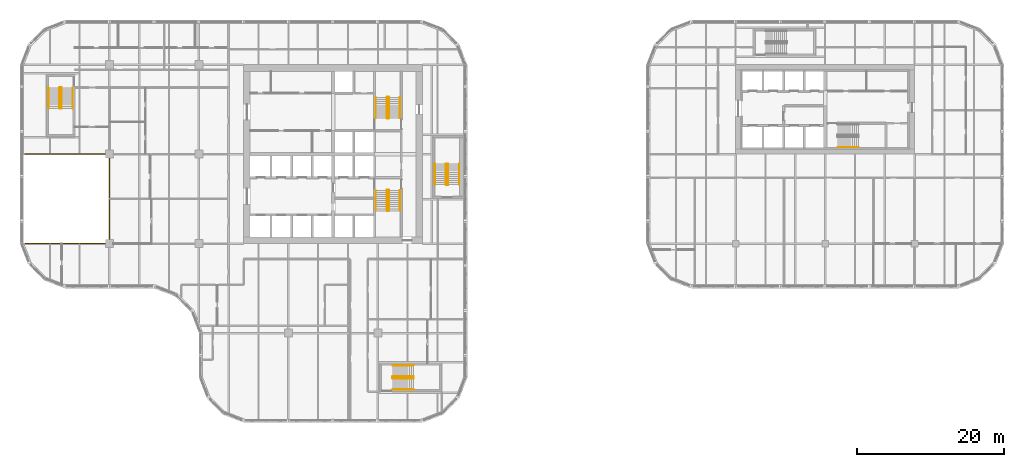
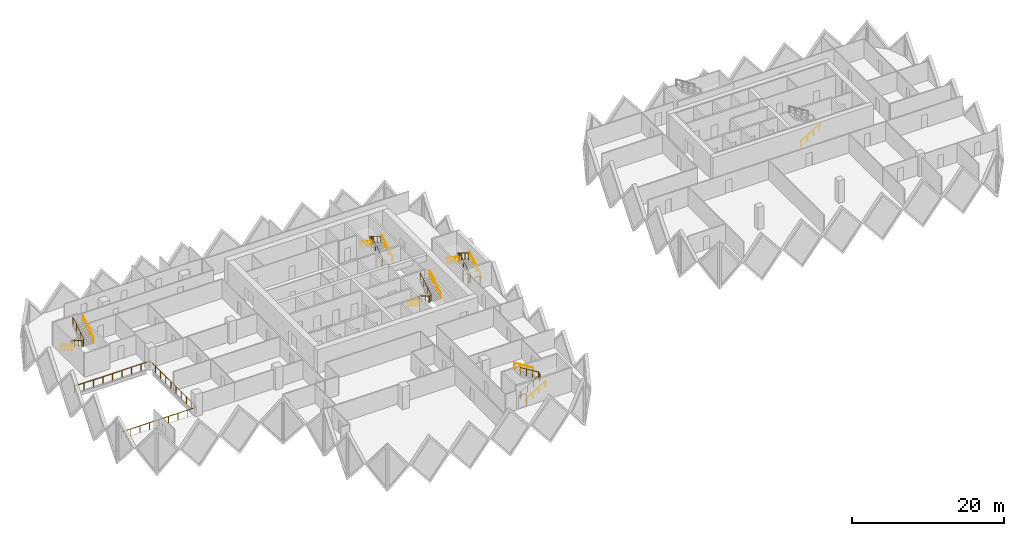
# One storey, part 17 of 18: 17 railings.
"""IFC4 building model written with IfcOpenShell, lengths in metres."""

import ifcopenshell
import ifcopenshell.guid

model = None  # the IFC model being written
_history = None  # IfcOwnerHistory: only IFC2X3 demands one
_inside = {}  # id of a spatial element -> (the spatial element, [elements in it])
_under = {}  # id of a project, library or spatial element -> (it, [spatial elements below it])
_declared = {}  # id of a project -> (the project, [libraries it declares])
_typed = {}  # id of a type object -> (the type object, [elements of that type])
_made_of = {}  # id of a material, layer set ... -> (it, [elements and type objects made of it])


def new_model(schema):
    """Start an empty IFC model of exactly this schema.

    Asked for "IFC4X3", IfcOpenShell would pick the latest addendum, in which some entities
    have other attributes; the version numbers below select the first issue.
    IFC2X3 requires an IfcOwnerHistory on every rooted entity: one is made here for all.
    """
    global model, _history
    if schema == "IFC4X3":
        model = ifcopenshell.file(schema_version=(4, 3, 0, 0))
    else:
        model = ifcopenshell.file(schema=schema)
    _inside.clear()
    _under.clear()
    _declared.clear()
    _typed.clear()
    _made_of.clear()
    _history = None
    if model.schema == "IFC2X3":
        org = make("IfcOrganization", Name="unknown")
        user = make(
            "IfcPersonAndOrganization",
            ThePerson=make("IfcPerson", FamilyName="unknown"),
            TheOrganization=org,
        )
        app = make(
            "IfcApplication",
            ApplicationDeveloper=org,
            Version="unknown",
            ApplicationFullName="unknown",
            ApplicationIdentifier="unknown",
        )
        _history = make(
            "IfcOwnerHistory",
            OwningUser=user,
            OwningApplication=app,
            ChangeAction="ADDED",
            CreationDate=0,
        )
    return model


def make(cls, **values):
    """One entity of the class cls with the attributes given. An attribute that is None is left unset."""
    return model.create_entity(
        cls, **{name: value for name, value in values.items() if value is not None}
    )


def rooted(cls, **values):
    """An entity with a GlobalId (a new one), such as an element, a storey or a relation."""
    return make(cls, GlobalId=ifcopenshell.guid.new(), OwnerHistory=_history, **values)


def si_unit(unit_type, name, prefix=None):
    """IfcSIUnit, for example si_unit("LENGTHUNIT", "METRE", prefix="MILLI")."""
    return make("IfcSIUnit", UnitType=unit_type, Prefix=prefix, Name=name)


def assignment(units):
    """IfcUnitAssignment: the units of a project."""
    return None if units is None else make("IfcUnitAssignment", Units=units)


def point(xyz):
    """IfcCartesianPoint."""
    return None if xyz is None else make("IfcCartesianPoint", Coordinates=xyz)


def direction(xyz):
    """IfcDirection."""
    return None if xyz is None else make("IfcDirection", DirectionRatios=xyz)


def frame(location, z_axis=None, x_axis=None):
    """IfcAxis2Placement3D, a coordinate frame: its origin and axes. An axis left out is left unset."""
    return make(
        "IfcAxis2Placement3D",
        Location=point(location),
        Axis=direction(z_axis),
        RefDirection=direction(x_axis),
    )


def frame_2d(location, x_axis=None):
    """IfcAxis2Placement2D, a coordinate frame in the plane: its origin and x axis."""
    return make(
        "IfcAxis2Placement2D", Location=point(location), RefDirection=direction(x_axis)
    )


def origin():
    """The frame at (0, 0, 0) with its axes left unset."""
    return frame((0.0, 0.0, 0.0))


def origin_2d():
    """The frame at (0, 0) in the plane with its x axis left unset."""
    return frame_2d((0.0, 0.0))


def place(relative_to, where):
    """IfcLocalPlacement: puts the frame where relative to a parent placement (None: the world)."""
    return make(
        "IfcLocalPlacement", PlacementRelTo=relative_to, RelativePlacement=where
    )


def context(
    kind, dimensions, precision=None, world=None, true_north=None, identifier=None
):
    """IfcGeometricRepresentationContext, for example the 3D "Model" context."""
    return make(
        "IfcGeometricRepresentationContext",
        ContextIdentifier=identifier,
        ContextType=kind,
        CoordinateSpaceDimension=dimensions,
        Precision=precision,
        WorldCoordinateSystem=world,
        TrueNorth=true_north,
    )


def subcontext(parent, identifier, kind, view, scale=None):
    """IfcGeometricRepresentationSubContext, for example "Body" below "Model"."""
    return make(
        "IfcGeometricRepresentationSubContext",
        ContextIdentifier=identifier,
        ContextType=kind,
        ParentContext=parent,
        TargetScale=scale,
        TargetView=view,
    )


def project(units=None, contexts=None):
    """IfcProject with its units and contexts."""
    return rooted(
        "IfcProject",
        Name="project",
        RepresentationContexts=contexts,
        UnitsInContext=assignment(units),
    )


def spatial(cls, under=None, at=None, **own):
    """A site, building, storey or space (cls), placed at a placement, below another one or the project."""
    s = rooted(cls, ObjectPlacement=at, **own)
    if under is not None:
        _under.setdefault(under.id(), (under, []))[1].append(s)
    return s


def profile(cls, at=None, kind="AREA", **sizes):
    """A parametric profile (cls). Its sizes go by their IFC names, for example OverallWidth=200.0."""
    return make(cls, ProfileType=kind, Position=at, **sizes)


def circle(**sizes):
    """IfcCircleProfileDef."""
    return profile("IfcCircleProfileDef", **sizes)


def extrude(swept, where, along, depth):
    """IfcExtrudedAreaSolid: the profile swept, set in the frame where, extruded along a direction by depth."""
    return make(
        "IfcExtrudedAreaSolid",
        SweptArea=swept,
        Position=where,
        ExtrudedDirection=direction(along),
        Depth=depth,
    )


def shape(context_of_items, identifier, shape_type, items):
    """IfcShapeRepresentation: the items that make up one representation, for example the "Body"."""
    return make(
        "IfcShapeRepresentation",
        ContextOfItems=context_of_items,
        RepresentationIdentifier=identifier,
        RepresentationType=shape_type,
        Items=items,
    )


def material(Name=None, Category=None):
    """IfcMaterial."""
    return make("IfcMaterial", Name=Name, Category=Category)


def made_of(thing, what):
    """Note that an element or type object is made of a material, layer set ...; save() writes the relation."""
    if what is not None:
        _made_of.setdefault(what.id(), (what, []))[1].append(thing)
    return thing


def type_object(cls, material=None, **own):
    """A type object (cls), such as IfcWallType, which elements share."""
    return made_of(rooted(cls, **own), material)


def element(
    cls,
    number,
    at=None,
    inside=None,
    cuts=None,
    type_object=None,
    material=None,
    context=None,
    identifier="Body",
    shape_type=None,
    held_by="IfcProductDefinitionShape",
    body=None,
    shapes=None,
    **own,
):
    """One element of the class cls, such as IfcWall. Its Tag is "e" and its number.

    at: its placement. inside: the storey or other place that contains it. cuts: it is an
    opening in that element (IfcRelVoidsElement). A single representation is given by context,
    identifier, shape_type and body (its items); several are given by shapes. held_by: the class
    of the entity that holds the representations. save() writes the other relations.
    """
    e = rooted(cls, Tag="e%d" % number, ObjectPlacement=at, **own)
    if body is not None:
        shapes = [shape(context, identifier, shape_type, body)]
    if shapes is not None:
        e.Representation = make(held_by, Representations=shapes)
    if inside is not None:
        _inside.setdefault(inside.id(), (inside, []))[1].append(e)
    if cuts is not None:
        rooted(
            "IfcRelVoidsElement", RelatingBuildingElement=cuts, RelatedOpeningElement=e
        )
    if type_object is not None:
        _typed.setdefault(type_object.id(), (type_object, []))[1].append(e)
    return made_of(e, material)


def aggregate(whole, parts):
    """IfcRelAggregates: a whole, such as a stair, and the parts it consists of."""
    return rooted("IfcRelAggregates", RelatingObject=whole, RelatedObjects=parts)


def save(model, path):
    """Write the relations noted so far, then the file.

    IfcRelAggregates (storeys below a building ...), IfcRelContainedInSpatialStructure (elements
    in a storey), IfcRelDefinesByType, IfcRelAssociatesMaterial and IfcRelDeclares: one each for
    every whole, place, type object, material and project.
    """
    for whole, parts in _under.values():
        aggregate(whole, parts)
    for where, things in _inside.values():
        rooted(
            "IfcRelContainedInSpatialStructure",
            RelatedElements=things,
            RelatingStructure=where,
        )
    for kind, things in _typed.values():
        rooted("IfcRelDefinesByType", RelatedObjects=things, RelatingType=kind)
    for what, things in _made_of.values():
        rooted("IfcRelAssociatesMaterial", RelatedObjects=things, RelatingMaterial=what)
    for by, libraries in _declared.values():
        rooted("IfcRelDeclares", RelatingContext=by, RelatedDefinitions=libraries)
    model.write(path)


model = new_model("IFC4")

# Units and contexts
model_context = context("Model", 3, precision=1e-05, world=origin(), true_north=direction((0.0, 1.0)))
body_context = subcontext(model_context, "Body", "Model", "MODEL_VIEW")
ifc_project = project(units=[si_unit("LENGTHUNIT", "METRE"), si_unit("AREAUNIT", "SQUARE_METRE"), si_unit("VOLUMEUNIT", "CUBIC_METRE"), si_unit("PLANEANGLEUNIT", "RADIAN"), si_unit("MASSUNIT", "GRAM", prefix="KILO")], contexts=[model_context])

# Site, building, storey
site_placement = place(None, origin())
site = spatial("IfcSite", under=ifc_project, at=site_placement, CompositionType="ELEMENT")
building_placement = place(site_placement, origin())
building = spatial("IfcBuilding", under=site, at=building_placement, Name="Tessera Gate Towers", CompositionType="ELEMENT")
storey_placement = place(building_placement, frame((0.0, 0.0, 44.800048828125)))
storey = spatial("IfcBuildingStorey", under=building, at=storey_placement, Name="L10", CompositionType="ELEMENT", Elevation=44.800048828125)

# Railings
ifc_material_1 = material(Name="Toughened glass with stainless steel handrail", Category="steel")
railing_type_1 = type_object("IfcRailingType", Name="GUARD 1100 GLASS BALUSTRADE", PredefinedType="GUARDRAIL", material=ifc_material_1)
railing_1_placement = place(storey_placement, frame((0.750244140625, 24.39990234375, 0.0)))
element("IfcRailing", 1, at=railing_1_placement, inside=storey, type_object=railing_type_1, Name="Guard", PredefinedType="GUARDRAIL", context=body_context, shape_type="SweptSolid", body=[
    extrude(circle(Radius=0.02490234375, at=origin_2d()), frame((0.0, 0.0, 1.0751953125), z_axis=(1.0, 0.0, 0.0), x_axis=(0.0, 1.0, 0.0)), (0.0, 0.0, 1.0), 11.44970703125),
    extrude(circle(Radius=0.02490234375, at=origin_2d()), frame((11.44970703125, 0.0, 1.0751953125), z_axis=(0.0, 1.0, 0.0), x_axis=(-1.0, 0.0, 0.0)), (0.0, 0.0, 1.0), 12.2001953125),
    extrude(circle(Radius=0.02490234375, at=origin_2d()), frame((11.44970703125, 12.2001953125, 1.0751953125), z_axis=(-1.0, 0.0, 0.0), x_axis=(0.0, -1.0, 0.0)), (0.0, 0.0, 1.0), 11.5),
    extrude(circle(Radius=0.02490234375, at=origin_2d()), origin(), (0.0, 0.0, 1.0), 1.050048828125),
    extrude(circle(Radius=0.02490234375, at=origin_2d()), frame((1.43115234375, 0.0, 0.0)), (0.0, 0.0, 1.0), 1.050048828125),
    extrude(circle(Radius=0.02490234375, at=origin_2d()), frame((2.8623046875, 0.0, 0.0)), (0.0, 0.0, 1.0), 1.050048828125),
    extrude(circle(Radius=0.02490234375, at=origin_2d()), frame((4.293701171875, 0.0, 0.0)), (0.0, 0.0, 1.0), 1.050048828125),
    extrude(circle(Radius=0.02490234375, at=origin_2d()), frame((5.724853515625, 0.0, 0.0)), (0.0, 0.0, 1.0), 1.050048828125),
    extrude(circle(Radius=0.02490234375, at=origin_2d()), frame((7.156005859375, 0.0, 0.0)), (0.0, 0.0, 1.0), 1.050048828125),
    extrude(circle(Radius=0.02490234375, at=origin_2d()), frame((8.58740234375, 0.0, 0.0)), (0.0, 0.0, 1.0), 1.050048828125),
    extrude(circle(Radius=0.02490234375, at=origin_2d()), frame((10.0185546875, 0.0, 0.0)), (0.0, 0.0, 1.0), 1.050048828125),
    extrude(circle(Radius=0.02490234375, at=origin_2d()), frame((11.44970703125, 0.0, 0.0)), (0.0, 0.0, 1.0), 1.050048828125),
    extrude(circle(Radius=0.02490234375, at=origin_2d()), frame((11.44970703125, 1.35546875, 0.0)), (0.0, 0.0, 1.0), 1.050048828125),
    extrude(circle(Radius=0.02490234375, at=origin_2d()), frame((11.44970703125, 2.711181640625, 0.0)), (0.0, 0.0, 1.0), 1.050048828125),
    extrude(circle(Radius=0.02490234375, at=origin_2d()), frame((11.44970703125, 4.066650390625, 0.0)), (0.0, 0.0, 1.0), 1.050048828125),
    extrude(circle(Radius=0.02490234375, at=origin_2d()), frame((11.44970703125, 5.42236328125, 0.0)), (0.0, 0.0, 1.0), 1.050048828125),
    extrude(circle(Radius=0.02490234375, at=origin_2d()), frame((11.44970703125, 6.77783203125, 0.0)), (0.0, 0.0, 1.0), 1.050048828125),
    extrude(circle(Radius=0.02490234375, at=origin_2d()), frame((11.44970703125, 8.133544921875, 0.0)), (0.0, 0.0, 1.0), 1.050048828125),
    extrude(circle(Radius=0.02490234375, at=origin_2d()), frame((11.44970703125, 9.489013671875, 0.0)), (0.0, 0.0, 1.0), 1.050048828125),
    extrude(circle(Radius=0.02490234375, at=origin_2d()), frame((11.44970703125, 10.8447265625, 0.0)), (0.0, 0.0, 1.0), 1.050048828125),
    extrude(circle(Radius=0.02490234375, at=origin_2d()), frame((11.44970703125, 12.2001953125, 0.0)), (0.0, 0.0, 1.0), 1.050048828125),
    extrude(circle(Radius=0.02490234375, at=origin_2d()), frame((10.01220703125, 12.2001953125, 0.0)), (0.0, 0.0, 1.0), 1.050048828125),
    extrude(circle(Radius=0.02490234375, at=origin_2d()), frame((8.57470703125, 12.2001953125, 0.0)), (0.0, 0.0, 1.0), 1.050048828125),
    extrude(circle(Radius=0.02490234375, at=origin_2d()), frame((7.13720703125, 12.2001953125, 0.0)), (0.0, 0.0, 1.0), 1.050048828125),
    extrude(circle(Radius=0.02490234375, at=origin_2d()), frame((5.69970703125, 12.2001953125, 0.0)), (0.0, 0.0, 1.0), 1.050048828125),
    extrude(circle(Radius=0.02490234375, at=origin_2d()), frame((4.26220703125, 12.2001953125, 0.0)), (0.0, 0.0, 1.0), 1.050048828125),
    extrude(circle(Radius=0.02490234375, at=origin_2d()), frame((2.82470703125, 12.2001953125, 0.0)), (0.0, 0.0, 1.0), 1.050048828125),
    extrude(circle(Radius=0.02490234375, at=origin_2d()), frame((1.38720703125, 12.2001953125, 0.0)), (0.0, 0.0, 1.0), 1.050048828125),
    extrude(circle(Radius=0.02490234375, at=origin_2d()), frame((-0.05029296875, 12.2001953125, 0.0)), (0.0, 0.0, 1.0), 1.050048828125),
])
ifc_material_2 = material(Name="Steel 350W", Category="steel")
railing_type_2 = type_object("IfcRailingType", Name="STAIR GUARD 1100", PredefinedType="GUARDRAIL", material=ifc_material_2)
railing_2_placement = place(storey_placement, frame((50.27490234375, 31.72509765625, 0.0)))
element("IfcRailing", 2, at=railing_2_placement, inside=storey, type_object=railing_type_2, Name="L10 ST1 stair guard 1", PredefinedType="GUARDRAIL", context=body_context, shape_type="SweptSolid", body=[
    extrude(circle(Radius=0.02392578125, at=origin_2d()), frame((0.0, 0.0, 1.076171875), z_axis=(-1.0, 0.0, 0.0), x_axis=(0.0, -1.0, 0.0)), (0.0, 0.0, 1.0), 0.199951171875),
    extrude(circle(Radius=0.02392578125, at=origin_2d()), frame((-0.199951171875, 0.0, 1.076171875), z_axis=(-0.268277960024, -0.268277960024, 0.925231793839), x_axis=(0.707106781187, -0.707106781187, 0.0)), (0.0, 0.0, 1.0), 0.1865234375),
    extrude(circle(Radius=0.02392578125, at=origin_2d()), frame((-0.25, -0.050048828125, 1.24853515625), z_axis=(0.0, -0.851089632645, 0.525020415988), x_axis=(1.0, 0.0, 0.0)), (0.0, 0.0, 1.0), 3.2900390625),
    extrude(circle(Radius=0.02392578125, at=origin_2d()), frame((-0.25, -2.85009765625, 2.97607421875), z_axis=(0.707106781187, -0.707106781187, 0.0), x_axis=(0.707106781187, 0.707106781187, 0.0)), (0.0, 0.0, 1.0), 0.07080078125),
    extrude(circle(Radius=0.02392578125, at=origin_2d()), frame((-0.199951171875, -2.900146484375, 2.97607421875), z_axis=(1.0, 0.0, 0.0), x_axis=(0.0, 1.0, 0.0)), (0.0, 0.0, 1.0), 0.199951171875),
    extrude(circle(Radius=0.02392578125, at=origin_2d()), frame((0.0, -2.900146484375, 2.97607421875), z_axis=(0.267953482034, 0.267953482034, 0.925419830635), x_axis=(-0.707106781187, 0.707106781187, 0.0)), (0.0, 0.0, 1.0), 0.186767578125),
    extrude(circle(Radius=0.02392578125, at=origin_2d()), frame((0.050048828125, -2.85009765625, 3.14892578125), z_axis=(0.0, 0.851089632645, 0.525020415988), x_axis=(-1.0, 0.0, 0.0)), (0.0, 0.0, 1.0), 3.2900390625),
    extrude(circle(Radius=0.02099609375, at=origin_2d()), origin(), (0.0, 0.0, 1.0), 1.052001953125),
    extrude(circle(Radius=0.02099609375, at=origin_2d()), frame((-0.199951171875, 0.0, 0.0)), (0.0, 0.0, 1.0), 1.052001953125),
    extrude(circle(Radius=0.02099609375, at=origin_2d()), frame((-0.25, -0.050048828125, 0.172607421875)), (0.0, 0.0, 1.0), 1.052001953125),
    extrude(circle(Radius=0.02099609375, at=origin_2d()), frame((-0.25, -0.9833984375, 0.748291015625)), (0.0, 0.0, 1.0), 1.052001953125),
    extrude(circle(Radius=0.02099609375, at=origin_2d()), frame((-0.25, -1.916748046875, 1.32421875)), (0.0, 0.0, 1.0), 1.052001953125),
    extrude(circle(Radius=0.02099609375, at=origin_2d()), frame((-0.25, -2.85009765625, 1.89990234375)), (0.0, 0.0, 1.0), 1.052001953125),
    extrude(circle(Radius=0.02099609375, at=origin_2d()), frame((-0.199951171875, -2.900146484375, 1.89990234375)), (0.0, 0.0, 1.0), 1.052001953125),
    extrude(circle(Radius=0.02099609375, at=origin_2d()), frame((0.0, -2.900146484375, 1.89990234375)), (0.0, 0.0, 1.0), 1.052001953125),
    extrude(circle(Radius=0.02099609375, at=origin_2d()), frame((0.050048828125, -2.85009765625, 2.07275390625)), (0.0, 0.0, 1.0), 1.052001953125),
    extrude(circle(Radius=0.02099609375, at=origin_2d()), frame((0.050048828125, -1.916748046875, 2.6484375)), (0.0, 0.0, 1.0), 1.052001953125),
    extrude(circle(Radius=0.02099609375, at=origin_2d()), frame((0.050048828125, -0.9833984375, 3.224365234375)), (0.0, 0.0, 1.0), 1.052001953125),
    extrude(circle(Radius=0.02099609375, at=origin_2d()), frame((0.050048828125, -0.050048828125, 3.800048828125)), (0.0, 0.0, 1.0), 1.052001953125),
])
railing_3_placement = place(storey_placement, frame((50.074951171875, 41.47509765625, 0.0)))
element("IfcRailing", 3, at=railing_3_placement, inside=storey, type_object=railing_type_2, Name="L10 ST2 stair guard 1", PredefinedType="GUARDRAIL", context=body_context, shape_type="SweptSolid", body=[
    extrude(circle(Radius=0.02392578125, at=origin_2d()), frame((0.0, 0.0, 1.076171875), z_axis=(1.0, 0.0, 0.0), x_axis=(0.0, 1.0, 0.0)), (0.0, 0.0, 1.0), 0.199951171875),
    extrude(circle(Radius=0.02392578125, at=origin_2d()), frame((0.199951171875, 0.0, 1.076171875), z_axis=(0.268371968888, 0.267062837333, 0.925556009775), x_axis=(-0.705375805398, 0.708833529934, 0.0)), (0.0, 0.0, 1.0), 0.1865234375),
    extrude(circle(Radius=0.02392578125, at=origin_2d()), frame((0.25, 0.0498046875, 1.24853515625), z_axis=(0.0, 0.851089632645, 0.525020415988), x_axis=(-1.0, 0.0, 0.0)), (0.0, 0.0, 1.0), 3.2900390625),
    extrude(circle(Radius=0.02392578125, at=origin_2d()), frame((0.25, 2.849853515625, 2.97607421875), z_axis=(-0.707106781187, 0.707106781187, 0.0), x_axis=(-0.707106781187, -0.707106781187, 0.0)), (0.0, 0.0, 1.0), 0.07080078125),
    extrude(circle(Radius=0.02392578125, at=origin_2d()), frame((0.199951171875, 2.89990234375, 2.97607421875), z_axis=(-1.0, 0.0, 0.0), x_axis=(0.0, -1.0, 0.0)), (0.0, 0.0, 1.0), 0.199951171875),
    extrude(circle(Radius=0.02392578125, at=origin_2d()), frame((0.0, 2.89990234375, 2.97607421875), z_axis=(-0.267953482034, -0.267953482034, 0.925419830635), x_axis=(0.707106781187, -0.707106781187, 0.0)), (0.0, 0.0, 1.0), 0.186767578125),
    extrude(circle(Radius=0.02392578125, at=origin_2d()), frame((-0.050048828125, 2.849853515625, 3.14892578125), z_axis=(0.0, -0.851089632645, 0.525020415988), x_axis=(1.0, 0.0, 0.0)), (0.0, 0.0, 1.0), 3.2900390625),
    extrude(circle(Radius=0.02099609375, at=origin_2d()), origin(), (0.0, 0.0, 1.0), 1.052001953125),
    extrude(circle(Radius=0.02099609375, at=origin_2d()), frame((0.199951171875, 0.0, 0.0)), (0.0, 0.0, 1.0), 1.052001953125),
    extrude(circle(Radius=0.02099609375, at=origin_2d()), frame((0.25, 0.0498046875, 0.172607421875)), (0.0, 0.0, 1.0), 1.052001953125),
    extrude(circle(Radius=0.02099609375, at=origin_2d()), frame((0.25, 0.983154296875, 0.748291015625)), (0.0, 0.0, 1.0), 1.052001953125),
    extrude(circle(Radius=0.02099609375, at=origin_2d()), frame((0.25, 1.91650390625, 1.32421875)), (0.0, 0.0, 1.0), 1.052001953125),
    extrude(circle(Radius=0.02099609375, at=origin_2d()), frame((0.25, 2.849853515625, 1.89990234375)), (0.0, 0.0, 1.0), 1.052001953125),
    extrude(circle(Radius=0.02099609375, at=origin_2d()), frame((0.199951171875, 2.89990234375, 1.89990234375)), (0.0, 0.0, 1.0), 1.052001953125),
    extrude(circle(Radius=0.02099609375, at=origin_2d()), frame((0.0, 2.89990234375, 1.89990234375)), (0.0, 0.0, 1.0), 1.052001953125),
    extrude(circle(Radius=0.02099609375, at=origin_2d()), frame((-0.050048828125, 2.849853515625, 2.07275390625)), (0.0, 0.0, 1.0), 1.052001953125),
    extrude(circle(Radius=0.02099609375, at=origin_2d()), frame((-0.050048828125, 1.91650390625, 2.6484375)), (0.0, 0.0, 1.0), 1.052001953125),
    extrude(circle(Radius=0.02099609375, at=origin_2d()), frame((-0.050048828125, 0.983154296875, 3.224365234375)), (0.0, 0.0, 1.0), 1.052001953125),
    extrude(circle(Radius=0.02099609375, at=origin_2d()), frame((-0.050048828125, 0.0498046875, 3.800048828125)), (0.0, 0.0, 1.0), 1.052001953125),
])
railing_4_placement = place(storey_placement, frame((5.64990234375, 45.699951171875, 0.0)))
element("IfcRailing", 4, at=railing_4_placement, inside=storey, type_object=railing_type_2, Name="L10 ST3 stair guard 1", PredefinedType="GUARDRAIL", context=body_context, shape_type="SweptSolid", body=[
    extrude(circle(Radius=0.02392578125, at=origin_2d()), frame((0.0, 0.0, 1.076171875), z_axis=(-1.0, 0.0, 0.0), x_axis=(0.0, -1.0, 0.0)), (0.0, 0.0, 1.0), 0.199951171875),
    extrude(circle(Radius=0.02392578125, at=origin_2d()), frame((-0.199951171875, 0.0, 1.076171875), z_axis=(-0.268277960024, -0.268277960024, 0.925231793839), x_axis=(0.707106781187, -0.707106781187, 0.0)), (0.0, 0.0, 1.0), 0.1865234375),
    extrude(circle(Radius=0.02392578125, at=origin_2d()), frame((-0.25, -0.050048828125, 1.24853515625), z_axis=(0.0, -0.851069175582, 0.525053576669), x_axis=(1.0, 0.0, 0.0)), (0.0, 0.0, 1.0), 3.289794921875),
    extrude(circle(Radius=0.02392578125, at=origin_2d()), frame((-0.25, -2.849853515625, 2.97607421875), z_axis=(0.707106781187, -0.707106781187, 0.0), x_axis=(0.707106781187, 0.707106781187, 0.0)), (0.0, 0.0, 1.0), 0.07080078125),
    extrude(circle(Radius=0.02392578125, at=origin_2d()), frame((-0.199951171875, -2.89990234375, 2.97607421875), z_axis=(1.0, 0.0, 0.0), x_axis=(0.0, 1.0, 0.0)), (0.0, 0.0, 1.0), 0.199951171875),
    extrude(circle(Radius=0.02392578125, at=origin_2d()), frame((0.0, -2.89990234375, 2.97607421875), z_axis=(0.267953482034, 0.267953482034, 0.925419830635), x_axis=(-0.707106781187, 0.707106781187, 0.0)), (0.0, 0.0, 1.0), 0.186767578125),
    extrude(circle(Radius=0.02392578125, at=origin_2d()), frame((0.050048828125, -2.849853515625, 3.14892578125), z_axis=(0.0, 0.851069175582, 0.525053576669), x_axis=(-1.0, 0.0, 0.0)), (0.0, 0.0, 1.0), 3.289794921875),
    extrude(circle(Radius=0.02099609375, at=origin_2d()), origin(), (0.0, 0.0, 1.0), 1.052001953125),
    extrude(circle(Radius=0.02099609375, at=origin_2d()), frame((-0.199951171875, 0.0, 0.0)), (0.0, 0.0, 1.0), 1.052001953125),
    extrude(circle(Radius=0.02099609375, at=origin_2d()), frame((-0.25, -0.050048828125, 0.172607421875)), (0.0, 0.0, 1.0), 1.052001953125),
    extrude(circle(Radius=0.02099609375, at=origin_2d()), frame((-0.25, -0.9833984375, 0.748291015625)), (0.0, 0.0, 1.0), 1.052001953125),
    extrude(circle(Radius=0.02099609375, at=origin_2d()), frame((-0.25, -1.91650390625, 1.32421875)), (0.0, 0.0, 1.0), 1.052001953125),
    extrude(circle(Radius=0.02099609375, at=origin_2d()), frame((-0.25, -2.849853515625, 1.89990234375)), (0.0, 0.0, 1.0), 1.052001953125),
    extrude(circle(Radius=0.02099609375, at=origin_2d()), frame((-0.199951171875, -2.89990234375, 1.89990234375)), (0.0, 0.0, 1.0), 1.052001953125),
    extrude(circle(Radius=0.02099609375, at=origin_2d()), frame((0.0, -2.89990234375, 1.89990234375)), (0.0, 0.0, 1.0), 1.052001953125),
    extrude(circle(Radius=0.02099609375, at=origin_2d()), frame((0.050048828125, -2.849853515625, 2.07275390625)), (0.0, 0.0, 1.0), 1.052001953125),
    extrude(circle(Radius=0.02099609375, at=origin_2d()), frame((0.050048828125, -1.91650390625, 2.6484375)), (0.0, 0.0, 1.0), 1.052001953125),
    extrude(circle(Radius=0.02099609375, at=origin_2d()), frame((0.050048828125, -0.9833984375, 3.224365234375)), (0.0, 0.0, 1.0), 1.052001953125),
    extrude(circle(Radius=0.02099609375, at=origin_2d()), frame((0.050048828125, -0.050048828125, 3.800048828125)), (0.0, 0.0, 1.0), 1.052001953125),
])
railing_5_placement = place(storey_placement, frame((50.800048828125, 6.25, 0.0)))
element("IfcRailing", 5, at=railing_5_placement, inside=storey, type_object=railing_type_2, Name="L10 ST4 stair guard 1", PredefinedType="GUARDRAIL", context=body_context, shape_type="SweptSolid", body=[
    extrude(circle(Radius=0.02392578125, at=origin_2d()), frame((0.0, 0.0, 1.076171875), z_axis=(0.0, -1.0, 0.0), x_axis=(1.0, 0.0, 0.0)), (0.0, 0.0, 1.0), 0.199951171875),
    extrude(circle(Radius=0.02392578125, at=origin_2d()), frame((0.0, -0.199951171875, 1.076171875), z_axis=(0.268277960024, -0.268277960024, 0.925231793839), x_axis=(0.707106781187, 0.707106781187, 0.0)), (0.0, 0.0, 1.0), 0.1865234375),
    extrude(circle(Radius=0.02392578125, at=origin_2d()), frame((0.050048828125, -0.25, 1.24853515625), z_axis=(0.851069175582, 0.0, 0.525053576669), x_axis=(0.0, 1.0, 0.0)), (0.0, 0.0, 1.0), 3.289794921875),
    extrude(circle(Radius=0.02392578125, at=origin_2d()), frame((2.849853515625, -0.25, 2.97607421875), z_axis=(0.707106781187, 0.707106781187, 0.0), x_axis=(-0.707106781187, 0.707106781187, 0.0)), (0.0, 0.0, 1.0), 0.07080078125),
    extrude(circle(Radius=0.02392578125, at=origin_2d()), frame((2.89990234375, -0.199951171875, 2.97607421875), z_axis=(0.0, 1.0, 0.0), x_axis=(-1.0, 0.0, 0.0)), (0.0, 0.0, 1.0), 0.199951171875),
    extrude(circle(Radius=0.02392578125, at=origin_2d()), frame((2.89990234375, 0.0, 2.97607421875), z_axis=(-0.267953482034, 0.267953482034, 0.925419830635), x_axis=(-0.707106781187, -0.707106781187, 0.0)), (0.0, 0.0, 1.0), 0.186767578125),
    extrude(circle(Radius=0.02392578125, at=origin_2d()), frame((2.849853515625, 0.050048828125, 3.14892578125), z_axis=(-0.851069175582, 0.0, 0.525053576669), x_axis=(0.0, -1.0, 0.0)), (0.0, 0.0, 1.0), 3.289794921875),
    extrude(circle(Radius=0.02099609375, at=origin_2d()), origin(), (0.0, 0.0, 1.0), 1.052001953125),
    extrude(circle(Radius=0.02099609375, at=origin_2d()), frame((0.0, -0.199951171875, 0.0)), (0.0, 0.0, 1.0), 1.052001953125),
    extrude(circle(Radius=0.02099609375, at=origin_2d()), frame((0.050048828125, -0.25, 0.172607421875)), (0.0, 0.0, 1.0), 1.052001953125),
    extrude(circle(Radius=0.02099609375, at=origin_2d()), frame((0.9833984375, -0.25, 0.748291015625)), (0.0, 0.0, 1.0), 1.052001953125),
    extrude(circle(Radius=0.02099609375, at=origin_2d()), frame((1.91650390625, -0.25, 1.32421875)), (0.0, 0.0, 1.0), 1.052001953125),
    extrude(circle(Radius=0.02099609375, at=origin_2d()), frame((2.849853515625, -0.25, 1.89990234375)), (0.0, 0.0, 1.0), 1.052001953125),
    extrude(circle(Radius=0.02099609375, at=origin_2d()), frame((2.89990234375, -0.199951171875, 1.89990234375)), (0.0, 0.0, 1.0), 1.052001953125),
    extrude(circle(Radius=0.02099609375, at=origin_2d()), frame((2.89990234375, 0.0, 1.89990234375)), (0.0, 0.0, 1.0), 1.052001953125),
    extrude(circle(Radius=0.02099609375, at=origin_2d()), frame((2.849853515625, 0.050048828125, 2.07275390625)), (0.0, 0.0, 1.0), 1.052001953125),
    extrude(circle(Radius=0.02099609375, at=origin_2d()), frame((1.91650390625, 0.050048828125, 2.6484375)), (0.0, 0.0, 1.0), 1.052001953125),
    extrude(circle(Radius=0.02099609375, at=origin_2d()), frame((0.9833984375, 0.050048828125, 3.224365234375)), (0.0, 0.0, 1.0), 1.052001953125),
    extrude(circle(Radius=0.02099609375, at=origin_2d()), frame((0.050048828125, 0.050048828125, 3.800048828125)), (0.0, 0.0, 1.0), 1.052001953125),
])
railing_6_placement = place(storey_placement, frame((58.14990234375, 32.39990234375, 0.0)))
element("IfcRailing", 6, at=railing_6_placement, inside=storey, type_object=railing_type_2, Name="L10 ST5 stair guard 1", PredefinedType="GUARDRAIL", context=body_context, shape_type="SweptSolid", body=[
    extrude(circle(Radius=0.02392578125, at=origin_2d()), frame((0.0, 0.0, 1.076171875), z_axis=(1.0, 0.0, 0.0), x_axis=(0.0, 1.0, 0.0)), (0.0, 0.0, 1.0), 0.2001953125),
    extrude(circle(Radius=0.02392578125, at=origin_2d()), frame((0.2001953125, 0.0, 1.076171875), z_axis=(0.267062837333, 0.268371968888, 0.925556009775), x_axis=(-0.708833529934, 0.705375805398, 0.0)), (0.0, 0.0, 1.0), 0.1865234375),
    extrude(circle(Radius=0.02392578125, at=origin_2d()), frame((0.25, 0.050048828125, 1.24853515625), z_axis=(0.0, 0.851089632645, 0.525020415988), x_axis=(-1.0, 0.0, 0.0)), (0.0, 0.0, 1.0), 3.2900390625),
    extrude(circle(Radius=0.02392578125, at=origin_2d()), frame((0.25, 2.85009765625, 2.97607421875), z_axis=(-0.705375805398, 0.708833529934, 0.0), x_axis=(-0.708833529934, -0.705375805398, 0.0)), (0.0, 0.0, 1.0), 0.070556640625),
    extrude(circle(Radius=0.02392578125, at=origin_2d()), frame((0.2001953125, 2.900146484375, 2.97607421875), z_axis=(-1.0, 0.0, 0.0), x_axis=(0.0, -1.0, 0.0)), (0.0, 0.0, 1.0), 0.2001953125),
    extrude(circle(Radius=0.02392578125, at=origin_2d()), frame((0.0, 2.900146484375, 2.97607421875), z_axis=(-0.266739603011, -0.268047150085, 0.925743328097), x_axis=(0.708833529934, -0.705375805398, 0.0)), (0.0, 0.0, 1.0), 0.186767578125),
    extrude(circle(Radius=0.02392578125, at=origin_2d()), frame((-0.0498046875, 2.85009765625, 3.14892578125), z_axis=(0.0, -0.851089632645, 0.525020415988), x_axis=(1.0, 0.0, 0.0)), (0.0, 0.0, 1.0), 3.2900390625),
    extrude(circle(Radius=0.02099609375, at=origin_2d()), origin(), (0.0, 0.0, 1.0), 1.052001953125),
    extrude(circle(Radius=0.02099609375, at=origin_2d()), frame((0.2001953125, 0.0, 0.0)), (0.0, 0.0, 1.0), 1.052001953125),
    extrude(circle(Radius=0.02099609375, at=origin_2d()), frame((0.25, 0.050048828125, 0.172607421875)), (0.0, 0.0, 1.0), 1.052001953125),
    extrude(circle(Radius=0.02099609375, at=origin_2d()), frame((0.25, 0.9833984375, 0.748291015625)), (0.0, 0.0, 1.0), 1.052001953125),
    extrude(circle(Radius=0.02099609375, at=origin_2d()), frame((0.25, 1.916748046875, 1.32421875)), (0.0, 0.0, 1.0), 1.052001953125),
    extrude(circle(Radius=0.02099609375, at=origin_2d()), frame((0.25, 2.85009765625, 1.89990234375)), (0.0, 0.0, 1.0), 1.052001953125),
    extrude(circle(Radius=0.02099609375, at=origin_2d()), frame((0.2001953125, 2.900146484375, 1.89990234375)), (0.0, 0.0, 1.0), 1.052001953125),
    extrude(circle(Radius=0.02099609375, at=origin_2d()), frame((0.0, 2.900146484375, 1.89990234375)), (0.0, 0.0, 1.0), 1.052001953125),
    extrude(circle(Radius=0.02099609375, at=origin_2d()), frame((-0.0498046875, 2.85009765625, 2.07275390625)), (0.0, 0.0, 1.0), 1.052001953125),
    extrude(circle(Radius=0.02099609375, at=origin_2d()), frame((-0.0498046875, 1.916748046875, 2.6484375)), (0.0, 0.0, 1.0), 1.052001953125),
    extrude(circle(Radius=0.02099609375, at=origin_2d()), frame((-0.0498046875, 0.9833984375, 3.224365234375)), (0.0, 0.0, 1.0), 1.052001953125),
    extrude(circle(Radius=0.02099609375, at=origin_2d()), frame((-0.0498046875, 0.050048828125, 3.800048828125)), (0.0, 0.0, 1.0), 1.052001953125),
])
ifc_material_3 = material(Name="Steel 350W", Category="steel")
railing_type_3 = type_object("IfcRailingType", Name="STAIR HANDRAIL 900", PredefinedType="HANDRAIL", material=ifc_material_3)
railing_7_placement = place(storey_placement, frame((48.52490234375, 31.675048828125, 0.172607421875)))
element("IfcRailing", 7, at=railing_7_placement, inside=storey, type_object=railing_type_3, Name="L10 ST1 stair handrail 1", PredefinedType="HANDRAIL", context=body_context, shape_type="SweptSolid", body=[
    extrude(circle(Radius=0.02392578125, at=origin_2d()), frame((0.0, 0.0, 0.8759765625), z_axis=(0.0, -0.851089632645, 0.525020415988), x_axis=(1.0, 0.0, 0.0)), (0.0, 0.0, 1.0), 3.2900390625),
    extrude(circle(Radius=0.02099609375, at=origin_2d()), origin(), (0.0, 0.0, 1.0), 0.851806640625),
    extrude(circle(Radius=0.02099609375, at=origin_2d()), frame((0.0, -0.933349609375, 0.57568359375)), (0.0, 0.0, 1.0), 0.851806640625),
    extrude(circle(Radius=0.02099609375, at=origin_2d()), frame((0.0, -1.86669921875, 1.151611328125)), (0.0, 0.0, 1.0), 0.851806640625),
    extrude(circle(Radius=0.02099609375, at=origin_2d()), frame((0.0, -2.800048828125, 1.727294921875)), (0.0, 0.0, 1.0), 0.851806640625),
])
for number, where, name in (
    (8, (51.824951171875, 28.875, 2.07275390625), "L10 ST1 stair handrail 2"),
    (9, (51.824951171875, 41.52490234375, 0.172607421875), "L10 ST2 stair handrail 1"),
):
    element("IfcRailing", number, at=place(storey_placement, frame(where)), inside=storey, type_object=railing_type_3, Name=name, PredefinedType="HANDRAIL", context=body_context, shape_type="SweptSolid", body=[
        extrude(circle(Radius=0.02392578125, at=origin_2d()), frame((0.0, 0.0, 0.8759765625), z_axis=(0.0, 0.851089632645, 0.525020415988), x_axis=(-1.0, 0.0, 0.0)), (0.0, 0.0, 1.0), 3.2900390625),
        extrude(circle(Radius=0.02099609375, at=origin_2d()), origin(), (0.0, 0.0, 1.0), 0.851806640625),
        extrude(circle(Radius=0.02099609375, at=origin_2d()), frame((0.0, 0.933349609375, 0.57568359375)), (0.0, 0.0, 1.0), 0.851806640625),
        extrude(circle(Radius=0.02099609375, at=origin_2d()), frame((0.0, 1.86669921875, 1.151611328125)), (0.0, 0.0, 1.0), 0.851806640625),
        extrude(circle(Radius=0.02099609375, at=origin_2d()), frame((0.0, 2.800048828125, 1.727294921875)), (0.0, 0.0, 1.0), 0.851806640625),
    ])
railing_8_placement = place(storey_placement, frame((48.52490234375, 44.324951171875, 2.07275390625)))
element("IfcRailing", 10, at=railing_8_placement, inside=storey, type_object=railing_type_3, Name="L10 ST2 stair handrail 2", PredefinedType="HANDRAIL", context=body_context, shape_type="SweptSolid", body=[
    extrude(circle(Radius=0.02392578125, at=origin_2d()), frame((0.0, 0.0, 0.8759765625), z_axis=(0.0, -0.851089632645, 0.525020415988), x_axis=(1.0, 0.0, 0.0)), (0.0, 0.0, 1.0), 3.2900390625),
    extrude(circle(Radius=0.02099609375, at=origin_2d()), origin(), (0.0, 0.0, 1.0), 0.851806640625),
    extrude(circle(Radius=0.02099609375, at=origin_2d()), frame((0.0, -0.933349609375, 0.57568359375)), (0.0, 0.0, 1.0), 0.851806640625),
    extrude(circle(Radius=0.02099609375, at=origin_2d()), frame((0.0, -1.86669921875, 1.151611328125)), (0.0, 0.0, 1.0), 0.851806640625),
    extrude(circle(Radius=0.02099609375, at=origin_2d()), frame((0.0, -2.800048828125, 1.727294921875)), (0.0, 0.0, 1.0), 0.851806640625),
])
railing_9_placement = place(storey_placement, frame((3.89990234375, 45.64990234375, 0.172607421875)))
element("IfcRailing", 11, at=railing_9_placement, inside=storey, type_object=railing_type_3, Name="L10 ST3 stair handrail 1", PredefinedType="HANDRAIL", context=body_context, shape_type="SweptSolid", body=[
    extrude(circle(Radius=0.02392578125, at=origin_2d()), frame((0.0, 0.0, 0.8759765625), z_axis=(0.0, -0.851069175582, 0.525053576669), x_axis=(1.0, 0.0, 0.0)), (0.0, 0.0, 1.0), 3.289794921875),
    extrude(circle(Radius=0.02099609375, at=origin_2d()), origin(), (0.0, 0.0, 1.0), 0.851806640625),
    extrude(circle(Radius=0.02099609375, at=origin_2d()), frame((0.0, -0.933349609375, 0.57568359375)), (0.0, 0.0, 1.0), 0.851806640625),
    extrude(circle(Radius=0.02099609375, at=origin_2d()), frame((0.0, -1.866455078125, 1.151611328125)), (0.0, 0.0, 1.0), 0.851806640625),
    extrude(circle(Radius=0.02099609375, at=origin_2d()), frame((0.0, -2.7998046875, 1.727294921875)), (0.0, 0.0, 1.0), 0.851806640625),
])
railing_10_placement = place(storey_placement, frame((7.199951171875, 42.85009765625, 2.07275390625)))
element("IfcRailing", 12, at=railing_10_placement, inside=storey, type_object=railing_type_3, Name="L10 ST3 stair handrail 2", PredefinedType="HANDRAIL", context=body_context, shape_type="SweptSolid", body=[
    extrude(circle(Radius=0.02392578125, at=origin_2d()), frame((0.0, 0.0, 0.8759765625), z_axis=(0.0, 0.851069175582, 0.525053576669), x_axis=(-1.0, 0.0, 0.0)), (0.0, 0.0, 1.0), 3.289794921875),
    extrude(circle(Radius=0.02099609375, at=origin_2d()), origin(), (0.0, 0.0, 1.0), 0.851806640625),
    extrude(circle(Radius=0.02099609375, at=origin_2d()), frame((0.0, 0.933349609375, 0.57568359375)), (0.0, 0.0, 1.0), 0.851806640625),
    extrude(circle(Radius=0.02099609375, at=origin_2d()), frame((0.0, 1.866455078125, 1.151611328125)), (0.0, 0.0, 1.0), 0.851806640625),
    extrude(circle(Radius=0.02099609375, at=origin_2d()), frame((0.0, 2.7998046875, 1.727294921875)), (0.0, 0.0, 1.0), 0.851806640625),
])
railing_11_placement = place(storey_placement, frame((50.85009765625, 4.5, 0.172607421875)))
element("IfcRailing", 13, at=railing_11_placement, inside=storey, type_object=railing_type_3, Name="L10 ST4 stair handrail 1", PredefinedType="HANDRAIL", context=body_context, shape_type="SweptSolid", body=[
    extrude(circle(Radius=0.02392578125, at=origin_2d()), frame((0.0, 0.0, 0.8759765625), z_axis=(0.851069175582, 0.0, 0.525053576669), x_axis=(0.0, 1.0, 0.0)), (0.0, 0.0, 1.0), 3.289794921875),
    extrude(circle(Radius=0.02099609375, at=origin_2d()), origin(), (0.0, 0.0, 1.0), 0.851806640625),
    extrude(circle(Radius=0.02099609375, at=origin_2d()), frame((0.933349609375, 0.0, 0.57568359375)), (0.0, 0.0, 1.0), 0.851806640625),
    extrude(circle(Radius=0.02099609375, at=origin_2d()), frame((1.866455078125, 0.0, 1.151611328125)), (0.0, 0.0, 1.0), 0.851806640625),
    extrude(circle(Radius=0.02099609375, at=origin_2d()), frame((2.7998046875, 0.0, 1.727294921875)), (0.0, 0.0, 1.0), 0.851806640625),
])
railing_12_placement = place(storey_placement, frame((53.64990234375, 7.800048828125, 2.07275390625)))
element("IfcRailing", 14, at=railing_12_placement, inside=storey, type_object=railing_type_3, Name="L10 ST4 stair handrail 2", PredefinedType="HANDRAIL", context=body_context, shape_type="SweptSolid", body=[
    extrude(circle(Radius=0.02392578125, at=origin_2d()), frame((0.0, 0.0, 0.8759765625), z_axis=(-0.851069175582, 0.0, 0.525053576669), x_axis=(0.0, -1.0, 0.0)), (0.0, 0.0, 1.0), 3.289794921875),
    extrude(circle(Radius=0.02099609375, at=origin_2d()), origin(), (0.0, 0.0, 1.0), 0.851806640625),
    extrude(circle(Radius=0.02099609375, at=origin_2d()), frame((-0.933349609375, 0.0, 0.57568359375)), (0.0, 0.0, 1.0), 0.851806640625),
    extrude(circle(Radius=0.02099609375, at=origin_2d()), frame((-1.866455078125, 0.0, 1.151611328125)), (0.0, 0.0, 1.0), 0.851806640625),
    extrude(circle(Radius=0.02099609375, at=origin_2d()), frame((-2.7998046875, 0.0, 1.727294921875)), (0.0, 0.0, 1.0), 0.851806640625),
])
railing_13_placement = place(storey_placement, frame((59.89990234375, 32.449951171875, 0.172607421875)))
element("IfcRailing", 15, at=railing_13_placement, inside=storey, type_object=railing_type_3, Name="L10 ST5 stair handrail 1", PredefinedType="HANDRAIL", context=body_context, shape_type="SweptSolid", body=[
    extrude(circle(Radius=0.02392578125, at=origin_2d()), frame((0.0, 0.0, 0.8759765625), z_axis=(0.0, 0.851089632645, 0.525020415988), x_axis=(-1.0, 0.0, 0.0)), (0.0, 0.0, 1.0), 3.2900390625),
    extrude(circle(Radius=0.02099609375, at=origin_2d()), origin(), (0.0, 0.0, 1.0), 0.851806640625),
    extrude(circle(Radius=0.02099609375, at=origin_2d()), frame((0.0, 0.933349609375, 0.57568359375)), (0.0, 0.0, 1.0), 0.851806640625),
    extrude(circle(Radius=0.02099609375, at=origin_2d()), frame((0.0, 1.86669921875, 1.151611328125)), (0.0, 0.0, 1.0), 0.851806640625),
    extrude(circle(Radius=0.02099609375, at=origin_2d()), frame((0.0, 2.800048828125, 1.727294921875)), (0.0, 0.0, 1.0), 0.851806640625),
])
railing_14_placement = place(storey_placement, frame((56.60009765625, 35.25, 2.07275390625)))
element("IfcRailing", 16, at=railing_14_placement, inside=storey, type_object=railing_type_3, Name="L10 ST5 stair handrail 2", PredefinedType="HANDRAIL", context=body_context, shape_type="SweptSolid", body=[
    extrude(circle(Radius=0.02392578125, at=origin_2d()), frame((0.0, 0.0, 0.8759765625), z_axis=(0.0, -0.851089632645, 0.525020415988), x_axis=(1.0, 0.0, 0.0)), (0.0, 0.0, 1.0), 3.2900390625),
    extrude(circle(Radius=0.02099609375, at=origin_2d()), origin(), (0.0, 0.0, 1.0), 0.851806640625),
    extrude(circle(Radius=0.02099609375, at=origin_2d()), frame((0.0, -0.933349609375, 0.57568359375)), (0.0, 0.0, 1.0), 0.851806640625),
    extrude(circle(Radius=0.02099609375, at=origin_2d()), frame((0.0, -1.86669921875, 1.151611328125)), (0.0, 0.0, 1.0), 0.851806640625),
    extrude(circle(Radius=0.02099609375, at=origin_2d()), frame((0.0, -2.800048828125, 1.727294921875)), (0.0, 0.0, 1.0), 0.851806640625),
])
railing_15_placement = place(storey_placement, frame((111.550048828125, 37.550048828125, 0.172607421875)))
element("IfcRailing", 17, at=railing_15_placement, inside=storey, type_object=railing_type_3, Name="L10 ST6 stair handrail 1", PredefinedType="HANDRAIL", context=body_context, shape_type="SweptSolid", body=[
    extrude(circle(Radius=0.02392578125, at=origin_2d()), frame((0.0, 0.0, 0.8759765625), z_axis=(0.851089632645, 0.0, 0.525020415988), x_axis=(0.0, 1.0, 0.0)), (0.0, 0.0, 1.0), 3.2900390625),
    extrude(circle(Radius=0.02099609375, at=origin_2d()), origin(), (0.0, 0.0, 1.0), 0.851806640625),
    extrude(circle(Radius=0.02099609375, at=origin_2d()), frame((0.933349609375, 0.0, 0.57568359375)), (0.0, 0.0, 1.0), 0.851806640625),
    extrude(circle(Radius=0.02099609375, at=origin_2d()), frame((1.86669921875, 0.0, 1.151611328125)), (0.0, 0.0, 1.0), 0.851806640625),
    extrude(circle(Radius=0.02099609375, at=origin_2d()), frame((2.800048828125, 0.0, 1.727294921875)), (0.0, 0.0, 1.0), 0.851806640625),
])

save(model, "model.ifc")
